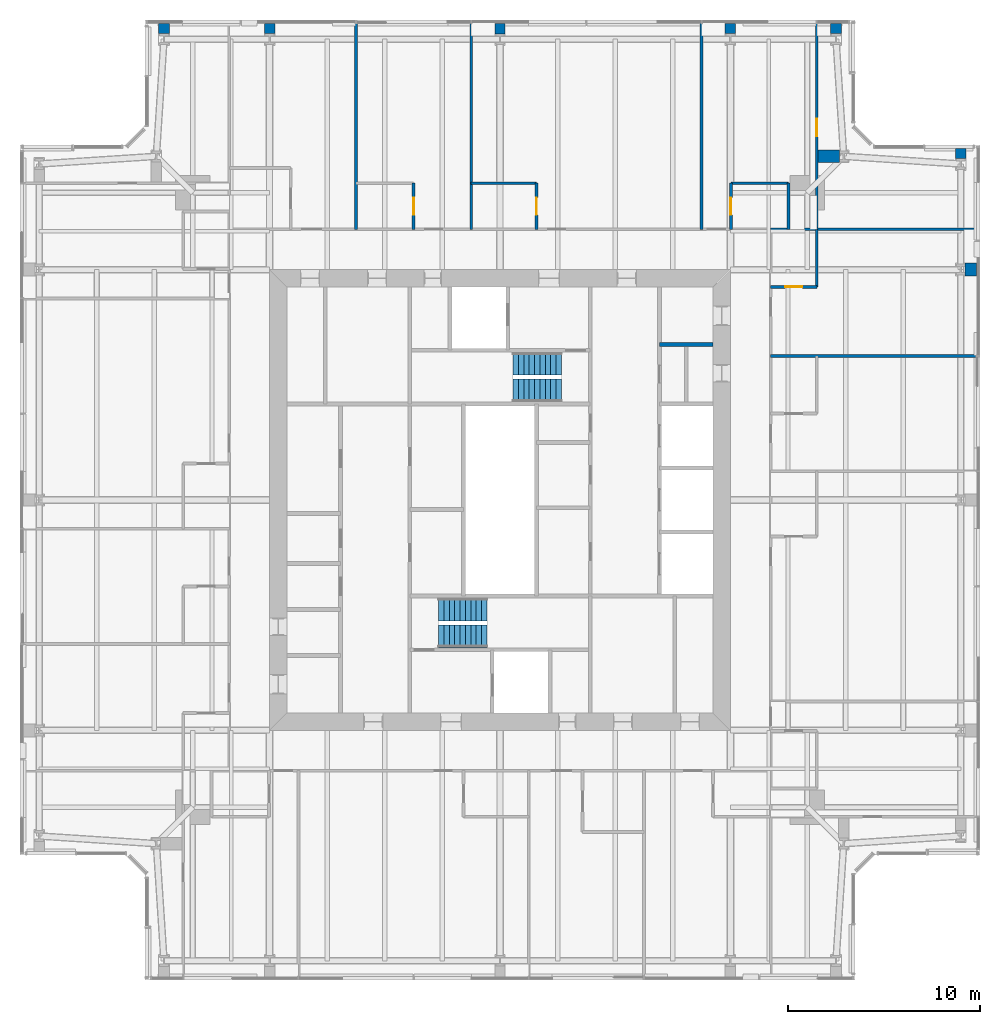
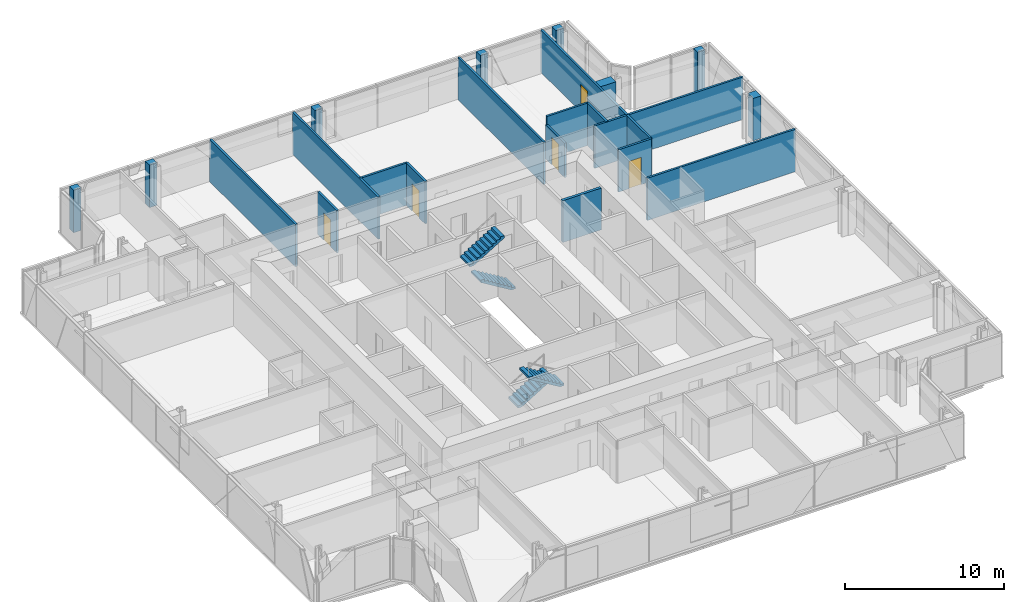
# One storey, part 15 of 20: 23 walls, 5 doors, 4 stair flights, 5 openings, 2 elements without a shape of their own.
"""IFC4 building model written with IfcOpenShell, lengths in metres."""

from ifc_helpers import new_model, si_unit, direction, frame, frame_2d, origin, place, context, subcontext, project, spatial, polyline, rectangle, outline, extrude, material, layer, layer_set, type_object, element, fill, aggregate, save


model = new_model("IFC4")

# Units and contexts
model_context = context("Model", 3, precision=1e-05, world=origin(), true_north=direction((0.0, 1.0)))
body_context = subcontext(model_context, "Body", "Model", "MODEL_VIEW")
ifc_project = project(units=[si_unit("LENGTHUNIT", "METRE"), si_unit("AREAUNIT", "SQUARE_METRE"), si_unit("VOLUMEUNIT", "CUBIC_METRE"), si_unit("PLANEANGLEUNIT", "RADIAN"), si_unit("MASSUNIT", "GRAM", prefix="KILO")], contexts=[model_context])

# Site, building, storey
site_placement = place(None, origin())
site = spatial("IfcSite", under=ifc_project, at=site_placement, CompositionType="ELEMENT")
building_placement = place(site_placement, origin())
building = spatial("IfcBuilding", under=site, at=building_placement, Name="Fenwick Lantern Interchange", CompositionType="ELEMENT")
storey_placement = place(building_placement, frame((0.0, 0.0, 259.39990234375)))
storey = spatial("IfcBuildingStorey", under=building, at=storey_placement, Name="L61", CompositionType="ELEMENT", Elevation=259.39990234375)

# Walls
ifc_material_1 = material(Name="Fire-rated gypsum board encasement on steel studs, 2 hour", Category="steel")
ifc_layer_1 = layer(ifc_material_1, 0.5419921875)
ifc_layer_set_1 = layer_set([ifc_layer_1], Name="COLUMN PIER 542")
wall_type_1 = type_object("IfcWallType", Name="COLUMN PIER 542", PredefinedType="PARTITIONING", material=ifc_layer_set_1)
wall_1_placement = place(storey_placement, frame((25.0, 49.81005859375, 0.0), z_axis=(0.0, 0.0, 1.0), x_axis=(0.0, -1.0, 0.0)))
element("IfcWall", 1, at=wall_1_placement, inside=storey, type_object=wall_type_1, Name="L61/W/PIER/CN3", PredefinedType="PARTITIONING", context=body_context, shape_type="SweptSolid", body=[
    extrude(rectangle(XDim=0.544677734375, YDim=0.5419921875, at=frame_2d((0.2724609375, 0.0))), origin(), (0.0, 0.0, 1.0), 3.25),
])
ifc_layer_2 = layer(ifc_material_1, 0.554931640625)
ifc_layer_set_2 = layer_set([ifc_layer_2], Name="COLUMN PIER 555")
wall_type_2 = type_object("IfcWallType", Name="COLUMN PIER 555", PredefinedType="PARTITIONING", material=ifc_layer_set_2)
for number, where, z_axis, x_axis, name in (
    (2, (49.0, 43.31005859375, 0.0), (0.0, 0.0, 1.0), (0.0, -1.0, 0.0), "L61/W/PIER/CE5"),
    (3, (42.5, 49.81005859375, 0.0), (0.0, 0.0, 1.0), (0.0, -1.0, 0.0), "L61/W/PIER/CN1"),
    (4, (37.0, 49.81005859375, 0.0), (0.0, 0.0, 1.0), (0.0, -1.0, 0.0), "L61/W/PIER/CN2"),
    (5, (13.0, 49.81005859375, 0.0), (0.0, 0.0, 1.0), (0.0, -1.0, 0.0), "L61/W/PIER/CN4"),
    (6, (7.5, 49.81005859375, 0.0), (0.0, 0.0, 1.0), (0.0, -1.0, 0.0), "L61/W/PIER/CN5"),
):
    element("IfcWall", number, at=place(storey_placement, frame(where, z_axis=z_axis, x_axis=x_axis)), inside=storey, type_object=wall_type_2, Name=name, PredefinedType="PARTITIONING", context=body_context, shape_type="SweptSolid", body=[
        extrude(rectangle(XDim=0.525634765625, YDim=0.554931640625, at=frame_2d((0.2626953125, 0.0))), origin(), (0.0, 0.0, 1.0), 3.25),
    ])
ifc_layer_3 = layer(ifc_material_1, 0.6689453125)
ifc_layer_set_3 = layer_set([ifc_layer_3], Name="COLUMN PIER 669")
wall_type_3 = type_object("IfcWallType", Name="COLUMN PIER 669", PredefinedType="PARTITIONING", material=ifc_layer_set_3)
wall_2_placement = place(storey_placement, frame((49.81005859375, 37.0, 0.0), z_axis=(0.0, 0.0, 1.0), x_axis=(-1.0, 0.0, 0.0)))
element("IfcWall", 7, at=wall_2_placement, inside=storey, type_object=wall_type_3, Name="L61/W/PIER/CE4", PredefinedType="PARTITIONING", context=body_context, shape_type="SweptSolid", body=[
    extrude(rectangle(XDim=0.582763671875, YDim=0.6689453125, at=frame_2d((0.29150390625, 0.0))), origin(), (0.0, 0.0, 1.0), 3.25),
])
wall_3_placement = place(storey_placement, frame((41.574951171875, 42.89990234375, 0.0), z_axis=(0.0, 0.0, 1.0), x_axis=(1.0, 0.0, 0.0)))
element("IfcWall", 8, at=wall_3_placement, inside=storey, type_object=wall_type_3, Name="L61/W/PIER/CER", PredefinedType="PARTITIONING", context=body_context, shape_type="SweptSolid", body=[
    extrude(rectangle(XDim=1.09765625, YDim=0.6689453125, at=frame_2d((0.548828125, 0.0))), origin(), (0.0, 0.0, 1.0), 3.25),
])
ifc_material_2 = material(Name="Concrete masonry ASTM C90 Grade N", Category="masonry")
ifc_layer_4 = layer(ifc_material_2, 0.199951171875)
ifc_layer_set_4 = layer_set([ifc_layer_4], Name="Concrete masonry ASTM C90 Grade N")
wall_type_4 = type_object("IfcWallType", Name="CORE PARTITION 200", PredefinedType="PARTITIONING", material=ifc_layer_set_4)
wall_4_placement = place(storey_placement, frame((36.10009765625, 33.10009765625, 0.0), z_axis=(0.0, 0.0, 1.0), x_axis=(-1.0, 0.0, 0.0)))
element("IfcWall", 9, at=wall_4_placement, inside=storey, type_object=wall_type_4, Name="L61/W/COREN/p1", PredefinedType="PARTITIONING", context=body_context, shape_type="SweptSolid", body=[
    extrude(rectangle(XDim=2.800048828125, YDim=0.199951171875, at=frame_2d((1.39990234375, 0.0))), origin(), (0.0, 0.0, 1.0), 3.2001953125),
])
ifc_material_3 = material(Name="Gypsum board on steel studs, moisture resistant", Category="steel")
ifc_layer_5 = layer(ifc_material_3, 0.14990234375)
ifc_layer_set_5 = layer_set([ifc_layer_5], Name="EN-SUITE WALL 150")
wall_type_5 = type_object("IfcWallType", Name="EN-SUITE WALL 150", PredefinedType="PARTITIONING", material=ifc_layer_set_5)
wall_5_placement = place(storey_placement, frame((41.5, 36.10009765625, 0.0), z_axis=(0.0, 0.0, 1.0), x_axis=(0.0, 1.0, 0.0)))
element("IfcWall", 10, at=wall_5_placement, inside=storey, type_object=wall_type_5, Name="L61/W/HOTEL/E/U4BW", PredefinedType="PARTITIONING", context=body_context, shape_type="SweptSolid", body=[
    extrude(rectangle(XDim=3.0, YDim=0.14990234375, at=frame_2d((1.5, 0.0))), origin(), (0.0, 0.0, 1.0), 3.25),
])

# Wall, opening, door
wall_6_placement = place(storey_placement, frame((41.5, 36.10009765625, 0.0), z_axis=(0.0, 0.0, 1.0), x_axis=(-1.0, 0.0, 0.0)))
wall_6 = element("IfcWall", 11, at=wall_6_placement, inside=storey, type_object=wall_type_5, Name="L61/W/HOTEL/E/U4BX", PredefinedType="PARTITIONING", context=body_context, shape_type="SweptSolid", body=[
    extrude(rectangle(XDim=2.39990234375, YDim=0.14990234375, at=frame_2d((1.199951171875, 0.0))), origin(), (0.0, 0.0, 1.0), 3.25),
])
opening_1_placement = place(wall_6_placement, frame((0.75, 0.0, 0.0)))
opening_1 = element("IfcOpeningElement", 12, at=opening_1_placement, cuts=wall_6, Name="Opening L61-D042", PredefinedType="OPENING", context=body_context, shape_type="SweptSolid", body=[
    extrude(rectangle(XDim=0.89990234375, YDim=2.10009765625, at=frame_2d((0.449951171875, 1.050048828125))), frame((0.0, 0.0849609375, 0.0), z_axis=(0.0, -1.0, 0.0), x_axis=(1.0, 0.0, 0.0)), (0.0, 0.0, 1.0), 0.169921875),
])
ifc_material_4 = material(Name="Hardwood door and steel frame", Category="steel")
door_type_1 = type_object("IfcDoorType", Name="EN-SUITE DOOR 900 X 2100", OperationType="SINGLE_SWING_LEFT", PredefinedType="DOOR", material=ifc_material_4)
door_1_placement = place(opening_1_placement, frame((0.89990234375, 0.0, 0.0), z_axis=(0.0, 0.0, 1.0), x_axis=(-1.0, 0.0, 0.0)))
door_1 = element("IfcDoor", 13, at=door_1_placement, inside=storey, type_object=door_type_1, Name="En-suite door", OperationType="SINGLE_SWING_RIGHT", OverallHeight=2.10009765625, OverallWidth=0.89990234375, PredefinedType="DOOR", context=body_context, shape_type="SweptSolid", body=[
    extrude(rectangle(XDim=0.89990234375, YDim=2.10009765625, at=frame_2d((0.449951171875, 1.050048828125))), frame((0.0, 0.02490234375, 0.0), z_axis=(0.0, -1.0, 0.0), x_axis=(1.0, 0.0, 0.0)), (0.0, 0.0, 1.0), 0.050048828125),
])
fill(opening_1, door_1)

# Wall
wall_7_placement = place(storey_placement, frame((40.02490234375, 41.5, 0.0), z_axis=(0.0, 0.0, 1.0), x_axis=(-1.0, 0.0, 0.0)))
element("IfcWall", 14, at=wall_7_placement, inside=storey, type_object=wall_type_5, Name="L61/W/HOTEL/N/U1BW", PredefinedType="PARTITIONING", context=body_context, shape_type="SweptSolid", body=[
    extrude(rectangle(XDim=3.0, YDim=0.14990234375, at=frame_2d((1.5, 0.0))), origin(), (0.0, 0.0, 1.0), 3.25),
])

# Wall, opening, door
wall_8_placement = place(storey_placement, frame((37.02490234375, 41.5, 0.0), z_axis=(0.0, 0.0, 1.0), x_axis=(0.0, -1.0, 0.0)))
wall_8 = element("IfcWall", 15, at=wall_8_placement, inside=storey, type_object=wall_type_5, Name="L61/W/HOTEL/N/U1BX", PredefinedType="PARTITIONING", context=body_context, shape_type="SweptSolid", body=[
    extrude(rectangle(XDim=2.39990234375, YDim=0.14990234375, at=frame_2d((1.199951171875, 0.0))), origin(), (0.0, 0.0, 1.0), 2.627685546875),
])
opening_2_placement = place(wall_8_placement, frame((0.75, 0.0, 0.0)))
opening_2 = element("IfcOpeningElement", 16, at=opening_2_placement, cuts=wall_8, Name="Opening L61-D044", PredefinedType="OPENING", context=body_context, shape_type="SweptSolid", body=[
    extrude(rectangle(XDim=0.89990234375, YDim=2.10009765625, at=frame_2d((0.449951171875, 1.050048828125))), frame((0.0, 0.0849609375, 0.0), z_axis=(0.0, -1.0, 0.0), x_axis=(1.0, 0.0, 0.0)), (0.0, 0.0, 1.0), 0.169921875),
])
door_2_placement = place(opening_2_placement, origin())
door_2 = element("IfcDoor", 17, at=door_2_placement, inside=storey, type_object=door_type_1, Name="En-suite door", OperationType="SINGLE_SWING_LEFT", OverallHeight=2.10009765625, OverallWidth=0.89990234375, PredefinedType="DOOR", context=body_context, shape_type="SweptSolid", body=[
    extrude(rectangle(XDim=0.89990234375, YDim=2.10009765625, at=frame_2d((0.449951171875, 1.050048828125))), frame((0.0, 0.02490234375, 0.0), z_axis=(0.0, -1.0, 0.0), x_axis=(1.0, 0.0, 0.0)), (0.0, 0.0, 1.0), 0.050048828125),
])
fill(opening_2, door_2)

# Walls
wall_9_placement = place(storey_placement, frame((40.02490234375, 41.5, 0.0), z_axis=(0.0, 0.0, 1.0), x_axis=(0.0, -1.0, 0.0)))
element("IfcWall", 18, at=wall_9_placement, inside=storey, type_object=wall_type_5, Name="L61/W/HOTEL/N/U1BV", PredefinedType="PARTITIONING", context=body_context, shape_type="SweptSolid", body=[
    extrude(rectangle(XDim=2.39990234375, YDim=0.14990234375, at=frame_2d((1.199951171875, 0.0))), origin(), (0.0, 0.0, 1.0), 3.25),
])
wall_10_placement = place(storey_placement, frame((26.89990234375, 41.5, 0.0), z_axis=(0.0, 0.0, 1.0), x_axis=(-1.0, 0.0, 0.0)))
element("IfcWall", 19, at=wall_10_placement, inside=storey, type_object=wall_type_5, Name="L61/W/HOTEL/N/U2BW", PredefinedType="PARTITIONING", context=body_context, shape_type="SweptSolid", body=[
    extrude(rectangle(XDim=3.39990234375, YDim=0.14990234375, at=frame_2d((1.699951171875, 0.0))), origin(), (0.0, 0.0, 1.0), 3.25),
])

# Wall, opening, door
wall_11_placement = place(storey_placement, frame((26.89990234375, 41.5, 0.0), z_axis=(0.0, 0.0, 1.0), x_axis=(0.0, -1.0, 0.0)))
wall_11 = element("IfcWall", 20, at=wall_11_placement, inside=storey, type_object=wall_type_5, Name="L61/W/HOTEL/N/U2BX", PredefinedType="PARTITIONING", context=body_context, shape_type="SweptSolid", body=[
    extrude(rectangle(XDim=2.39990234375, YDim=0.14990234375, at=frame_2d((1.199951171875, 0.0))), origin(), (0.0, 0.0, 1.0), 3.25),
])
opening_3_placement = place(wall_11_placement, frame((0.75, 0.0, 0.0)))
opening_3 = element("IfcOpeningElement", 21, at=opening_3_placement, cuts=wall_11, Name="Opening L61-D047", PredefinedType="OPENING", context=body_context, shape_type="SweptSolid", body=[
    extrude(rectangle(XDim=0.89990234375, YDim=2.10009765625, at=frame_2d((0.449951171875, 1.050048828125))), frame((0.0, 0.0849609375, 0.0), z_axis=(0.0, -1.0, 0.0), x_axis=(1.0, 0.0, 0.0)), (0.0, 0.0, 1.0), 0.169921875),
])
door_3_placement = place(opening_3_placement, frame((0.89990234375, 0.0, 0.0), z_axis=(0.0, 0.0, 1.0), x_axis=(-1.0, 0.0, 0.0)))
door_3 = element("IfcDoor", 22, at=door_3_placement, inside=storey, type_object=door_type_1, Name="En-suite door", OperationType="SINGLE_SWING_RIGHT", OverallHeight=2.10009765625, OverallWidth=0.89990234375, PredefinedType="DOOR", context=body_context, shape_type="SweptSolid", body=[
    extrude(rectangle(XDim=0.89990234375, YDim=2.10009765625, at=frame_2d((0.449951171875, 1.050048828125))), frame((0.0, 0.02490234375, 0.0), z_axis=(0.0, -1.0, 0.0), x_axis=(1.0, 0.0, 0.0)), (0.0, 0.0, 1.0), 0.050048828125),
])
fill(opening_3, door_3)

wall_12_placement = place(storey_placement, frame((20.5, 41.5, 0.0), z_axis=(0.0, 0.0, 1.0), x_axis=(0.0, -1.0, 0.0)))
wall_12 = element("IfcWall", 23, at=wall_12_placement, inside=storey, type_object=wall_type_5, Name="L61/W/HOTEL/N/U3BX", PredefinedType="PARTITIONING", context=body_context, shape_type="SweptSolid", body=[
    extrude(rectangle(XDim=2.39990234375, YDim=0.14990234375, at=frame_2d((1.199951171875, 0.0))), origin(), (0.0, 0.0, 1.0), 3.25),
])
opening_4_placement = place(wall_12_placement, frame((0.75, 0.0, 0.0)))
opening_4 = element("IfcOpeningElement", 24, at=opening_4_placement, cuts=wall_12, Name="Opening L61-D049", PredefinedType="OPENING", context=body_context, shape_type="SweptSolid", body=[
    extrude(rectangle(XDim=0.89990234375, YDim=2.10009765625, at=frame_2d((0.449951171875, 1.050048828125))), frame((0.0, 0.0849609375, 0.0), z_axis=(0.0, -1.0, 0.0), x_axis=(1.0, 0.0, 0.0)), (0.0, 0.0, 1.0), 0.169921875),
])
door_4_placement = place(opening_4_placement, frame((0.89990234375, 0.0, 0.0), z_axis=(0.0, 0.0, 1.0), x_axis=(-1.0, 0.0, 0.0)))
door_4 = element("IfcDoor", 25, at=door_4_placement, inside=storey, type_object=door_type_1, Name="En-suite door", OperationType="SINGLE_SWING_RIGHT", OverallHeight=2.10009765625, OverallWidth=0.89990234375, PredefinedType="DOOR", context=body_context, shape_type="SweptSolid", body=[
    extrude(rectangle(XDim=0.89990234375, YDim=2.10009765625, at=frame_2d((0.449951171875, 1.050048828125))), frame((0.0, 0.02490234375, 0.0), z_axis=(0.0, -1.0, 0.0), x_axis=(1.0, 0.0, 0.0)), (0.0, 0.0, 1.0), 0.050048828125),
])
fill(opening_4, door_4)

# Walls
ifc_material_5 = material(Name="Gypsum board on steel studs, 1 hour acoustic", Category="steel")
ifc_layer_6 = layer(ifc_material_5, 0.14990234375)
ifc_layer_set_6 = layer_set([ifc_layer_6], Name="PARTY WALL 150")
wall_type_6 = type_object("IfcWallType", Name="PARTY WALL 150", PredefinedType="PARTITIONING", material=ifc_layer_set_6)
for number, where, z_axis, x_axis, name in (
    (26, (49.85009765625, 32.5, 0.0), (0.0, 0.0, 1.0), (-1.0, 0.0, 0.0), "L61/W/HOTEL/E/U4PW"),
    (27, (49.85009765625, 39.10009765625, 0.0), (0.0, 0.0, 1.0), (-1.0, 0.0, 0.0), "L61/W/HOTEL/N/SW3"),
    (28, (35.5, 49.85009765625, 0.0), (0.0, 0.0, 1.0), (0.0, -1.0, 0.0), "L61/W/HOTEL/N/U2PW"),
    (29, (23.5, 49.85009765625, 0.0), (0.0, 0.0, 1.0), (0.0, -1.0, 0.0), "L61/W/HOTEL/N/U3PW"),
    (30, (17.5, 49.85009765625, 0.0), (0.0, 0.0, 1.0), (0.0, -1.0, 0.0), "L61/W/HOTEL/N/U4PW"),
):
    element("IfcWall", number, at=place(storey_placement, frame(where, z_axis=z_axis, x_axis=x_axis)), inside=storey, type_object=wall_type_6, Name=name, PredefinedType="PARTITIONING", context=body_context, shape_type="SweptSolid", body=[
        extrude(rectangle(XDim=10.75, YDim=0.14990234375, at=frame_2d((5.375, 0.0))), origin(), (0.0, 0.0, 1.0), 3.25),
    ])

# Wall, opening, door
ifc_material_6 = material(Name="Gypsum board on steel studs, acoustic", Category="steel")
ifc_layer_7 = layer(ifc_material_6, 0.14990234375)
ifc_layer_set_7 = layer_set([ifc_layer_7], Name="SUITE PARTITION 150")
wall_type_7 = type_object("IfcWallType", Name="SUITE PARTITION 150", PredefinedType="PARTITIONING", material=ifc_layer_set_7)
wall_13_placement = place(storey_placement, frame((41.5, 49.85009765625, 0.0), z_axis=(0.0, 0.0, 1.0), x_axis=(0.0, -1.0, 0.0)))
wall_13 = element("IfcWall", 31, at=wall_13_placement, inside=storey, type_object=wall_type_7, Name="L61/W/HOTEL/N/U1P", PredefinedType="PARTITIONING", context=body_context, shape_type="SweptSolid", body=[
    extrude(rectangle(XDim=10.75, YDim=0.14990234375, at=frame_2d((5.375, 0.0))), origin(), (0.0, 0.0, 1.0), 3.25),
])
opening_5_placement = place(wall_13_placement, frame((5.0, 0.0, 0.0)))
opening_5 = element("IfcOpeningElement", 32, at=opening_5_placement, cuts=wall_13, Name="Opening L61-D045", PredefinedType="OPENING", context=body_context, shape_type="SweptSolid", body=[
    extrude(rectangle(XDim=0.89990234375, YDim=2.10009765625, at=frame_2d((0.449951171875, 1.050048828125))), frame((0.0, 0.0849609375, 0.0), z_axis=(0.0, -1.0, 0.0), x_axis=(1.0, 0.0, 0.0)), (0.0, 0.0, 1.0), 0.169921875),
])
door_type_2 = type_object("IfcDoorType", Name="SUITE INTERNAL DOOR 900 X 2100", OperationType="SINGLE_SWING_LEFT", PredefinedType="DOOR", material=ifc_material_4)
door_5_placement = place(opening_5_placement, origin())
door_5 = element("IfcDoor", 33, at=door_5_placement, inside=storey, type_object=door_type_2, Name="Suite internal door", OperationType="SINGLE_SWING_RIGHT", OverallHeight=2.10009765625, OverallWidth=0.89990234375, PredefinedType="DOOR", context=body_context, shape_type="SweptSolid", body=[
    extrude(rectangle(XDim=0.89990234375, YDim=2.10009765625, at=frame_2d((0.449951171875, 1.050048828125))), frame((0.0, 0.02490234375, 0.0), z_axis=(0.0, -1.0, 0.0), x_axis=(1.0, 0.0, 0.0)), (0.0, 0.0, 1.0), 0.050048828125),
])
fill(opening_5, door_5)

# Stair, stair flights
ifc_material_7 = material(Name="Precast concrete f'c 35 MPa", Category="concrete")
stair_type = type_object("IfcStairType", Name="EXIT STAIR 1200", PredefinedType="HALF_TURN_STAIR", material=ifc_material_7)
stair_1_placement = place(storey_placement, origin())
stair_1 = element("IfcStair", 34, at=stair_1_placement, inside=storey, type_object=stair_type, Name="Exit stair ST1", PredefinedType="HALF_TURN_STAIR")
stair_flight_type = type_object("IfcStairFlightType", Name="STAIR FLIGHT 1200", PredefinedType="STRAIGHT", material=ifc_material_7)
stair_flight_1_placement = place(storey_placement, frame((21.800048828125, 19.300048828125, 0.0), z_axis=(0.0, 0.0, 1.0), x_axis=(1.0, 0.0, 0.0)))
stair_flight_1 = element("IfcStairFlight", 35, at=stair_flight_1_placement, type_object=stair_flight_type, Name="ST1 flight 1", NumberOfRisers=10, NumberOfTreads=9, PredefinedType="STRAIGHT", RiserHeight=0.17, TreadLength=0.28, context=body_context, shape_type="SweptSolid", body=[
    extrude(outline(polyline([(0.0, 0.0), (0.0, 0.169921875), (0.280029296875, 0.169921875), (0.280029296875, 0.340087890625), (0.56005859375, 0.340087890625), (0.56005859375, 0.510009765625), (0.840087890625, 0.510009765625), (0.840087890625, 0.679931640625), (1.1201171875, 0.679931640625), (1.1201171875, 0.85009765625), (1.39990234375, 0.85009765625), (1.39990234375, 1.02001953125), (1.679931640625, 1.02001953125), (1.679931640625, 1.18994140625), (1.9599609375, 1.18994140625), (1.9599609375, 1.360107421875), (2.239990234375, 1.360107421875), (2.239990234375, 1.530029296875), (2.52001953125, 1.530029296875), (2.52001953125, 1.699951171875), (2.52001953125, 1.354736328125), (0.288818359375, 0.0), (0.0, 0.0)])), frame((0.0, 0.60009765625, 0.0), z_axis=(0.0, -1.0, 0.0), x_axis=(1.0, 0.0, 0.0)), (0.0, 0.0, 1.0), 1.199951171875),
])
stair_flight_2_placement = place(storey_placement, frame((24.320068359375, 17.89990234375, 1.7001953125), z_axis=(0.0, 0.0, 1.0), x_axis=(-1.0, 0.0, 0.0)))
stair_flight_2 = element("IfcStairFlight", 36, at=stair_flight_2_placement, type_object=stair_flight_type, Name="ST1 flight 2", NumberOfRisers=10, NumberOfTreads=9, PredefinedType="STRAIGHT", RiserHeight=0.17, TreadLength=0.28, context=body_context, shape_type="SweptSolid", body=[
    extrude(outline(polyline([(0.0, 0.0), (0.0, 0.169921875), (0.280029296875, 0.169921875), (0.280029296875, 0.340087890625), (0.56005859375, 0.340087890625), (0.56005859375, 0.510009765625), (0.840087890625, 0.510009765625), (0.840087890625, 0.679931640625), (1.1201171875, 0.679931640625), (1.1201171875, 0.85009765625), (1.39990234375, 0.85009765625), (1.39990234375, 1.02001953125), (1.679931640625, 1.02001953125), (1.679931640625, 1.18994140625), (1.9599609375, 1.18994140625), (1.9599609375, 1.360107421875), (2.239990234375, 1.360107421875), (2.239990234375, 1.530029296875), (2.52001953125, 1.530029296875), (2.52001953125, 1.699951171875), (2.52001953125, 1.354736328125), (0.288818359375, 0.0), (0.0, 0.0)])), frame((0.0, 0.60009765625, 0.0), z_axis=(0.0, -1.0, 0.0), x_axis=(1.0, 0.0, 0.0)), (0.0, 0.0, 1.0), 1.199951171875),
])
aggregate(stair_1, [stair_flight_1, stair_flight_2])

stair_2_placement = place(storey_placement, origin())
stair_2 = element("IfcStair", 37, at=stair_2_placement, inside=storey, type_object=stair_type, Name="Exit stair ST2", PredefinedType="HALF_TURN_STAIR")
stair_flight_3_placement = place(storey_placement, frame((28.199951171875, 30.699951171875, 0.0), z_axis=(0.0, 0.0, 1.0), x_axis=(-1.0, 0.0, 0.0)))
stair_flight_3 = element("IfcStairFlight", 38, at=stair_flight_3_placement, type_object=stair_flight_type, Name="ST2 flight 1", NumberOfRisers=10, NumberOfTreads=9, PredefinedType="STRAIGHT", RiserHeight=0.17, TreadLength=0.28, context=body_context, shape_type="SweptSolid", body=[
    extrude(outline(polyline([(0.0, 0.0), (0.0, 0.169921875), (0.280029296875, 0.169921875), (0.280029296875, 0.340087890625), (0.56005859375, 0.340087890625), (0.56005859375, 0.510009765625), (0.840087890625, 0.510009765625), (0.840087890625, 0.679931640625), (1.1201171875, 0.679931640625), (1.1201171875, 0.85009765625), (1.39990234375, 0.85009765625), (1.39990234375, 1.02001953125), (1.679931640625, 1.02001953125), (1.679931640625, 1.18994140625), (1.9599609375, 1.18994140625), (1.9599609375, 1.360107421875), (2.239990234375, 1.360107421875), (2.239990234375, 1.530029296875), (2.52001953125, 1.530029296875), (2.52001953125, 1.699951171875), (2.52001953125, 1.354736328125), (0.288818359375, 0.0), (0.0, 0.0)])), frame((0.0, 0.60009765625, 0.0), z_axis=(0.0, -1.0, 0.0), x_axis=(1.0, 0.0, 0.0)), (0.0, 0.0, 1.0), 1.199951171875),
])
stair_flight_4_placement = place(storey_placement, frame((25.679931640625, 32.10009765625, 1.7001953125), z_axis=(0.0, 0.0, 1.0), x_axis=(1.0, 0.0, 0.0)))
stair_flight_4 = element("IfcStairFlight", 39, at=stair_flight_4_placement, type_object=stair_flight_type, Name="ST2 flight 2", NumberOfRisers=10, NumberOfTreads=9, PredefinedType="STRAIGHT", RiserHeight=0.17, TreadLength=0.28, context=body_context, shape_type="SweptSolid", body=[
    extrude(outline(polyline([(0.0, 0.0), (0.0, 0.169921875), (0.280029296875, 0.169921875), (0.280029296875, 0.340087890625), (0.56005859375, 0.340087890625), (0.56005859375, 0.510009765625), (0.840087890625, 0.510009765625), (0.840087890625, 0.679931640625), (1.1201171875, 0.679931640625), (1.1201171875, 0.85009765625), (1.39990234375, 0.85009765625), (1.39990234375, 1.02001953125), (1.679931640625, 1.02001953125), (1.679931640625, 1.18994140625), (1.9599609375, 1.18994140625), (1.9599609375, 1.360107421875), (2.239990234375, 1.360107421875), (2.239990234375, 1.530029296875), (2.52001953125, 1.530029296875), (2.52001953125, 1.699951171875), (2.52001953125, 1.354736328125), (0.288818359375, 0.0), (0.0, 0.0)])), frame((0.0, 0.60009765625, 0.0), z_axis=(0.0, -1.0, 0.0), x_axis=(1.0, 0.0, 0.0)), (0.0, 0.0, 1.0), 1.199951171875),
])
aggregate(stair_2, [stair_flight_3, stair_flight_4])

save(model, "model.ifc")
